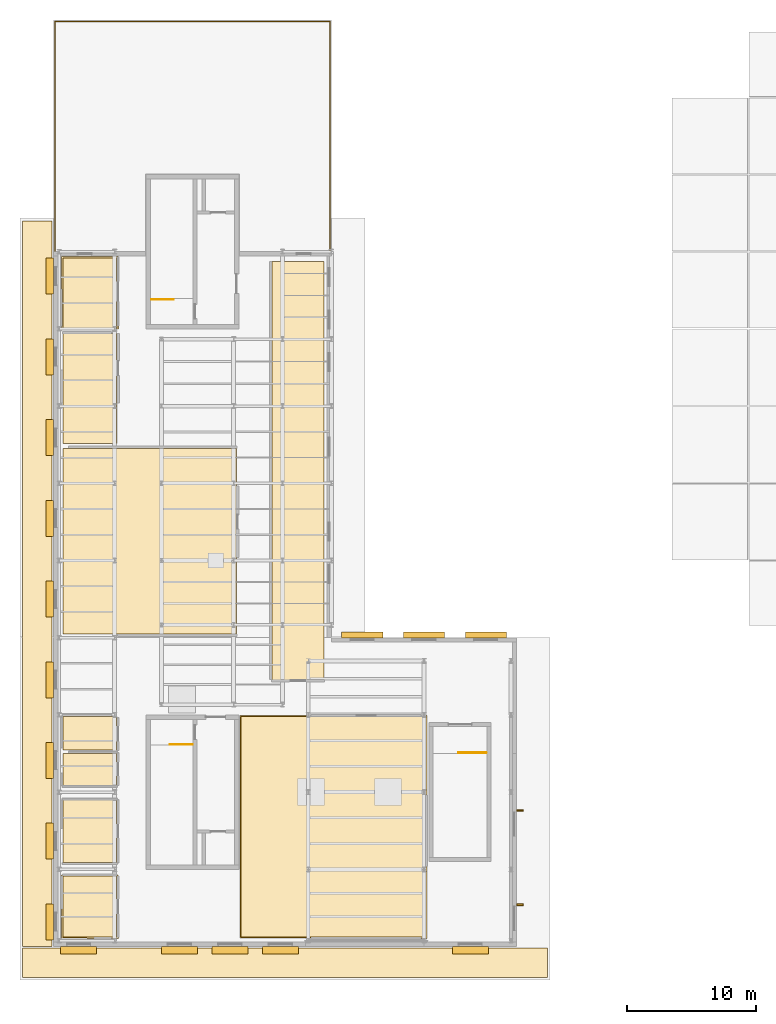
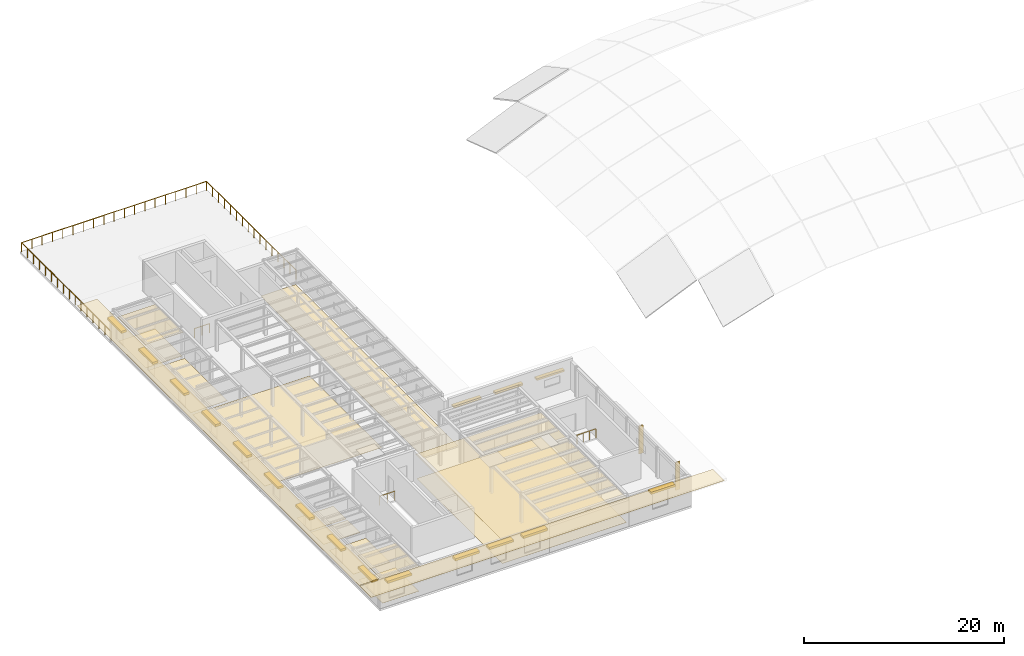
# One storey, part 10 of 10: 19 shading devices, 14 coverings, 4 railings.
"""IFC4 building model written with IfcOpenShell, lengths in metres."""

from ifc_helpers import new_model, si_unit, direction, frame, origin, origin_2d, place, context, subcontext, project, spatial, polyline, rectangle, circle, outline, extrude, material, layer, layer_set, type_object, element, save


model = new_model("IFC4")

# Units and contexts
model_context = context("Model", 3, precision=1e-05, world=origin(), true_north=direction((0.0, 1.0)))
body_context = subcontext(model_context, "Body", "Model", "MODEL_VIEW")
ifc_project = project(units=[si_unit("LENGTHUNIT", "METRE"), si_unit("AREAUNIT", "SQUARE_METRE"), si_unit("VOLUMEUNIT", "CUBIC_METRE"), si_unit("PLANEANGLEUNIT", "RADIAN"), si_unit("MASSUNIT", "GRAM", prefix="KILO")], contexts=[model_context])

# Site, building, storey
site_placement = place(None, origin())
site = spatial("IfcSite", under=ifc_project, at=site_placement, CompositionType="ELEMENT")
building_placement = place(site_placement, origin())
building = spatial("IfcBuilding", under=site, at=building_placement, Name="Kolvaren Corner Interchange", CompositionType="ELEMENT")
storey_placement = place(building_placement, frame((0.0, 0.0, 18.75)))
storey = spatial("IfcBuildingStorey", under=building, at=storey_placement, Name="L05", CompositionType="ELEMENT", Elevation=18.75)

# Coverings
ifc_material_1 = material(Name="Suspended Acoustic Mineral-Fibre Ceiling")
ifc_layer_1 = layer(ifc_material_1, 0.02197265625)
ifc_layer_set_1 = layer_set([ifc_layer_1], Name="Suspended Acoustic Mineral-Fibre Ceiling")
covering_type_1 = type_object("IfcCoveringType", Name="COV-CEIL-AC22", PredefinedType="CEILING", material=ifc_layer_set_1)
covering_1_placement = place(storey_placement, frame((0.0, 0.0, 2.927978515625)))
element("IfcCovering", 1, at=covering_1_placement, inside=storey, type_object=covering_type_1, Name="L05 Intermodal Operations Control Room Suspended Ceiling", PredefinedType="CEILING", context=body_context, shape_type="SweptSolid", body=[
    extrude(outline(polyline([(14.47998046875, 0.64990234375), (29.015380859375, 0.63720703125), (29.0126953125, 17.965576171875), (14.484619140625, 17.962646484375), (14.47998046875, 0.64990234375)])), origin(), (0.0, 0.0, 1.0), 0.02197265625),
])
covering_2_placement = place(storey_placement, frame((0.0, 0.0, 2.927978515625)))
element("IfcCovering", 2, at=covering_2_placement, inside=storey, type_object=covering_type_1, Name="L05 Silver Incident Command Suite Suspended Ceiling", PredefinedType="CEILING", context=body_context, shape_type="SweptSolid", body=[
    extrude(outline(polyline([(0.6298828125, 0.64990234375), (5.035400390625, 0.63720703125), (5.03271484375, 5.5654296875), (0.634521484375, 5.562744140625), (0.6298828125, 0.64990234375)])), origin(), (0.0, 0.0, 1.0), 0.02197265625),
])
covering_3_placement = place(storey_placement, frame((0.0, 0.0, 2.927978515625)))
element("IfcCovering", 3, at=covering_3_placement, inside=storey, type_object=covering_type_1, Name="L05 Observation Terrace Foyer Suspended Ceiling", PredefinedType="CEILING", context=body_context, shape_type="SweptSolid", body=[
    extrude(outline(polyline([(0.6298828125, 48.0), (5.035400390625, 47.9873046875), (5.03271484375, 53.615478515625), (0.634521484375, 53.61279296875), (0.6298828125, 48.0)])), origin(), (0.0, 0.0, 1.0), 0.02197265625),
])
ifc_material_2 = material(Name="Acoustic Tufted Modular Office Carpet Tile")
ifc_layer_2 = layer(ifc_material_2, 0.011962890625)
ifc_layer_set_2 = layer_set([ifc_layer_2], Name="Acoustic Tufted Modular Office Carpet Tile")
covering_type_2 = type_object("IfcCoveringType", Name="COV-FLR-CPT12", PredefinedType="FLOORING", material=ifc_layer_set_2)
covering_4_placement = place(storey_placement, origin())
element("IfcCovering", 4, at=covering_4_placement, inside=storey, type_object=covering_type_2, Name="L05 Intermodal Operations Control Room Floor Finish", PredefinedType="FLOORING", context=body_context, shape_type="SweptSolid", body=[
    extrude(outline(polyline([(14.580078125, 0.72998046875), (28.919921875, 0.72998046875), (28.919921875, 17.8701171875), (14.580078125, 17.8701171875), (14.580078125, 0.72998046875)])), origin(), (0.0, 0.0, 1.0), 0.011962890625),
])
covering_5_placement = place(storey_placement, origin())
element("IfcCovering", 5, at=covering_5_placement, inside=storey, type_object=covering_type_2, Name="L05 Silver Incident Command Suite Floor Finish", PredefinedType="FLOORING", context=body_context, shape_type="SweptSolid", body=[
    extrude(outline(polyline([(0.72998046875, 0.72998046875), (4.93994140625, 0.72998046875), (4.93994140625, 5.469970703125), (0.72998046875, 5.469970703125), (0.72998046875, 0.72998046875)])), origin(), (0.0, 0.0, 1.0), 0.011962890625),
])
ifc_material_3 = material(Name="Anti-Slip Heavy-Duty Epoxy Resin Flooring")
ifc_layer_3 = layer(ifc_material_3, 0.01806640625)
ifc_layer_set_3 = layer_set([ifc_layer_3], Name="Anti-Slip Heavy-Duty Epoxy Resin Flooring")
covering_type_3 = type_object("IfcCoveringType", Name="COV-FLR-RES18", PredefinedType="FLOORING", material=ifc_layer_set_3)
covering_6_placement = place(storey_placement, origin())
element("IfcCovering", 6, at=covering_6_placement, inside=storey, type_object=covering_type_3, Name="L05 Operations Chiller and AHU Plant Floor Finish", PredefinedType="FLOORING", context=body_context, shape_type="SweptSolid", body=[
    extrude(outline(polyline([(16.97998046875, 20.72998046875), (21.02001953125, 20.72998046875), (21.02001953125, 53.219970703125), (16.97998046875, 53.219970703125), (16.97998046875, 20.72998046875)])), origin(), (0.0, 0.0, 1.0), 0.01806640625),
])
covering_7_placement = place(storey_placement, origin())
element("IfcCovering", 7, at=covering_7_placement, inside=storey, type_object=covering_type_3, Name="L05 Control Room Redundant UPS Room Floor Finish", PredefinedType="FLOORING", context=body_context, shape_type="SweptSolid", body=[
    extrude(outline(polyline([(0.72998046875, 39.080078125), (4.93994140625, 39.080078125), (4.93994140625, 47.6201171875), (0.72998046875, 47.6201171875), (0.72998046875, 39.080078125)])), origin(), (0.0, 0.0, 1.0), 0.01806640625),
])
ifc_material_4 = material(Name="Polished Niger Delta Granite Terrazzo Flooring", Category="masonry")
ifc_layer_4 = layer(ifc_material_4, 0.030029296875)
ifc_layer_set_4 = layer_set([ifc_layer_4], Name="Polished Niger Delta Granite Terrazzo Flooring")
covering_type_4 = type_object("IfcCoveringType", Name="COV-FLR-TER30", PredefinedType="FLOORING", material=ifc_layer_set_4)
covering_8_placement = place(storey_placement, origin())
element("IfcCovering", 8, at=covering_8_placement, inside=storey, type_object=covering_type_4, Name="L05 Signalling and SCADA Server Hall Floor Finish", PredefinedType="FLOORING", context=body_context, shape_type="SweptSolid", body=[
    extrude(outline(polyline([(0.72998046875, 24.280029296875), (14.219970703125, 24.280029296875), (14.219970703125, 38.719970703125), (0.72998046875, 38.719970703125), (0.72998046875, 24.280029296875)])), origin(), (0.0, 0.0, 1.0), 0.030029296875),
])
covering_9_placement = place(storey_placement, origin())
element("IfcCovering", 9, at=covering_9_placement, inside=storey, type_object=covering_type_4, Name="L05 Observation Terrace Foyer Floor Finish", PredefinedType="FLOORING", context=body_context, shape_type="SweptSolid", body=[
    extrude(outline(polyline([(0.72998046875, 48.080078125), (4.93994140625, 48.080078125), (4.93994140625, 53.52001953125), (0.72998046875, 53.52001953125), (0.72998046875, 48.080078125)])), origin(), (0.0, 0.0, 1.0), 0.030029296875),
])
covering_10_placement = place(storey_placement, origin())
element("IfcCovering", 10, at=covering_10_placement, inside=storey, type_object=covering_type_4, Name="L05 Male WC Floor Finish", PredefinedType="FLOORING", context=body_context, shape_type="SweptSolid", body=[
    extrude(outline(polyline([(0.72998046875, 6.530029296875), (4.93994140625, 6.530029296875), (4.93994140625, 11.3701171875), (0.72998046875, 11.3701171875), (0.72998046875, 6.530029296875)])), origin(), (0.0, 0.0, 1.0), 0.030029296875),
])
covering_11_placement = place(storey_placement, origin())
element("IfcCovering", 11, at=covering_11_placement, inside=storey, type_object=covering_type_4, Name="L05 Female WC Floor Finish", PredefinedType="FLOORING", context=body_context, shape_type="SweptSolid", body=[
    extrude(outline(polyline([(0.72998046875, 12.530029296875), (4.93994140625, 12.530029296875), (4.93994140625, 15.02001953125), (0.72998046875, 15.02001953125), (0.72998046875, 12.530029296875)])), origin(), (0.0, 0.0, 1.0), 0.030029296875),
])
covering_12_placement = place(storey_placement, origin())
element("IfcCovering", 12, at=covering_12_placement, inside=storey, type_object=covering_type_4, Name="L05 Accessible WC Floor Finish", PredefinedType="FLOORING", context=body_context, shape_type="SweptSolid", body=[
    extrude(outline(polyline([(0.72998046875, 15.280029296875), (4.93994140625, 15.280029296875), (4.93994140625, 17.8701171875), (0.72998046875, 17.8701171875), (0.72998046875, 15.280029296875)])), origin(), (0.0, 0.0, 1.0), 0.030029296875),
])
ifc_material_5 = material(Name="Relief-Moulded Terracotta Cornice Cladding", Category="masonry")
ifc_layer_5 = layer(ifc_material_5, 0.034912109375)
ifc_layer_set_5 = layer_set([ifc_layer_5], Name="Relief-Moulded Terracotta Cornice Cladding")
covering_type_5 = type_object("IfcCoveringType", Name="COV-TC-CLAD35", PredefinedType="CLADDING", material=ifc_layer_set_5)
covering_13_placement = place(storey_placement, frame((0.0, 0.0, 3.675048828125)))
element("IfcCovering", 13, at=covering_13_placement, inside=storey, type_object=covering_type_5, Name="Operations Boulevard Cornice Cladding", PredefinedType="CLADDING", context=body_context, shape_type="SweptSolid", body=[
    extrude(outline(polyline([(-2.39990234375, -2.39990234375), (38.39990234375, -2.39990234375), (38.39990234375, -0.10009765625), (-2.39990234375, -0.10009765625), (-2.39990234375, -2.39990234375)])), origin(), (0.0, 0.0, 1.0), 0.034912109375),
])
covering_14_placement = place(storey_placement, frame((0.0, 0.0, 3.675048828125)))
element("IfcCovering", 14, at=covering_14_placement, inside=storey, type_object=covering_type_5, Name="Operations Trelmava Cornice Cladding", PredefinedType="CLADDING", context=body_context, shape_type="SweptSolid", body=[
    extrude(outline(polyline([(-2.39990234375, 0.0), (-0.10009765625, 0.0), (-0.10009765625, 56.39990234375), (-2.39990234375, 56.39990234375), (-2.39990234375, 0.0)])), origin(), (0.0, 0.0, 1.0), 0.034912109375),
])

# Railings
ifc_material_6 = material(Name="Powder-Coated Steel Stairwell Guardrail", Category="steel")
railing_type_1 = type_object("IfcRailingType", Name="RLT-STAIR-GRD1120", PredefinedType="GUARDRAIL", material=ifc_material_6)
railing_1_placement = place(storey_placement, frame((10.7900390625, 15.7099609375, 0.0)))
element("IfcRailing", 15, at=railing_1_placement, inside=storey, type_object=railing_type_1, Name="Core C1 Southwest Firefighting Stair L05 Landing Edge Guardrail", PredefinedType="GUARDRAIL", context=body_context, shape_type="SweptSolid", body=[
    extrude(circle(Radius=0.02392578125, at=origin_2d()), frame((0.0, 0.0, 1.09619140625), z_axis=(-1.0, 0.0, 0.0), x_axis=(0.0, -1.0, 0.0)), (0.0, 0.0, 1.0), 1.72998046875),
    extrude(circle(Radius=0.02001953125, at=origin_2d()), origin(), (0.0, 0.0, 1.0), 1.072021484375),
    extrude(circle(Radius=0.02001953125, at=origin_2d()), frame((-0.864990234375, 0.0, 0.0)), (0.0, 0.0, 1.0), 1.072021484375),
    extrude(circle(Radius=0.02001953125, at=origin_2d()), frame((-1.72998046875, 0.0, 0.0)), (0.0, 0.0, 1.0), 1.072021484375),
])
railing_2_placement = place(storey_placement, frame((7.610107421875, 50.2900390625, 0.0)))
element("IfcRailing", 16, at=railing_2_placement, inside=storey, type_object=railing_type_1, Name="Core C2 Northwest Firefighting Stair L05 Landing Edge Guardrail", PredefinedType="GUARDRAIL", context=body_context, shape_type="SweptSolid", body=[
    extrude(circle(Radius=0.02392578125, at=origin_2d()), frame((0.0, 0.0, 1.09619140625), z_axis=(1.0, 0.0, 0.0), x_axis=(0.0, 1.0, 0.0)), (0.0, 0.0, 1.0), 1.72998046875),
    extrude(circle(Radius=0.02001953125, at=origin_2d()), origin(), (0.0, 0.0, 1.0), 1.072021484375),
    extrude(circle(Radius=0.02001953125, at=origin_2d()), frame((0.864990234375, 0.0, 0.0)), (0.0, 0.0, 1.0), 1.072021484375),
    extrude(circle(Radius=0.02001953125, at=origin_2d()), frame((1.72998046875, 0.0, 0.0)), (0.0, 0.0, 1.0), 1.072021484375),
])
railing_3_placement = place(storey_placement, frame((33.639892578125, 15.06005859375, 0.0)))
element("IfcRailing", 17, at=railing_3_placement, inside=storey, type_object=railing_type_1, Name="Operations South Bar Protected Exit Stair L05 Landing Edge Guardrail", PredefinedType="GUARDRAIL", context=body_context, shape_type="SweptSolid", body=[
    extrude(circle(Radius=0.02392578125, at=origin_2d()), frame((0.0, 0.0, 1.09619140625), z_axis=(-1.0, 0.0, 0.0), x_axis=(0.0, -1.0, 0.0)), (0.0, 0.0, 1.0), 2.179931640625),
    extrude(circle(Radius=0.02001953125, at=origin_2d()), origin(), (0.0, 0.0, 1.0), 1.072021484375),
    extrude(circle(Radius=0.02001953125, at=origin_2d()), frame((-0.7265625, 0.0, 0.0)), (0.0, 0.0, 1.0), 1.072021484375),
    extrude(circle(Radius=0.02001953125, at=origin_2d()), frame((-1.453369140625, 0.0, 0.0)), (0.0, 0.0, 1.0), 1.072021484375),
    extrude(circle(Radius=0.02001953125, at=origin_2d()), frame((-2.179931640625, 0.0, 0.0)), (0.0, 0.0, 1.0), 1.072021484375),
])
ifc_material_7 = material(Name="Anodised Aluminium and Laminated Glass Balustrade", Category="aluminium")
railing_type_2 = type_object("IfcRailingType", Name="RLT-TERR-BAL1150", PredefinedType="BALUSTRADE", material=ifc_material_7)
railing_4_placement = place(storey_placement, frame((21.47998046875, 54.0, 0.0)))
element("IfcRailing", 18, at=railing_4_placement, inside=storey, type_object=railing_type_2, Name="Level 05 Observation Terrace Perimeter Balustrade", PredefinedType="BALUSTRADE", context=body_context, shape_type="SweptSolid", body=[
    extrude(circle(Radius=0.02490234375, at=origin_2d()), frame((0.0, 0.0, 1.125), z_axis=(0.0, 1.0, 0.0), x_axis=(-1.0, 0.0, 0.0)), (0.0, 0.0, 1.0), 17.8798828125),
    extrude(circle(Radius=0.02490234375, at=origin_2d()), frame((0.0, 17.8798828125, 1.125), z_axis=(-1.0, 0.0, 0.0), x_axis=(0.0, -1.0, 0.0)), (0.0, 0.0, 1.0), 21.35986328125),
    extrude(circle(Radius=0.02490234375, at=origin_2d()), frame((-21.35986328125, 17.8798828125, 1.125), z_axis=(0.0, -1.0, 0.0), x_axis=(1.0, 0.0, 0.0)), (0.0, 0.0, 1.0), 17.8798828125),
    extrude(circle(Radius=0.02197265625, at=origin_2d()), origin(), (0.0, 0.0, 1.0), 1.099853515625),
    extrude(circle(Radius=0.02197265625, at=origin_2d()), frame((0.0, 1.19189453125, 0.0)), (0.0, 0.0, 1.0), 1.099853515625),
    extrude(circle(Radius=0.02197265625, at=origin_2d()), frame((0.0, 2.384033203125, 0.0)), (0.0, 0.0, 1.0), 1.099853515625),
    extrude(circle(Radius=0.02197265625, at=origin_2d()), frame((0.0, 3.575927734375, 0.0)), (0.0, 0.0, 1.0), 1.099853515625),
    extrude(circle(Radius=0.02197265625, at=origin_2d()), frame((0.0, 4.76806640625, 0.0)), (0.0, 0.0, 1.0), 1.099853515625),
    extrude(circle(Radius=0.02197265625, at=origin_2d()), frame((0.0, 5.9599609375, 0.0)), (0.0, 0.0, 1.0), 1.099853515625),
    extrude(circle(Radius=0.02197265625, at=origin_2d()), frame((0.0, 7.15185546875, 0.0)), (0.0, 0.0, 1.0), 1.099853515625),
    extrude(circle(Radius=0.02197265625, at=origin_2d()), frame((0.0, 8.343994140625, 0.0)), (0.0, 0.0, 1.0), 1.099853515625),
    extrude(circle(Radius=0.02197265625, at=origin_2d()), frame((0.0, 9.535888671875, 0.0)), (0.0, 0.0, 1.0), 1.099853515625),
    extrude(circle(Radius=0.02197265625, at=origin_2d()), frame((0.0, 10.72802734375, 0.0)), (0.0, 0.0, 1.0), 1.099853515625),
    extrude(circle(Radius=0.02197265625, at=origin_2d()), frame((0.0, 11.919921875, 0.0)), (0.0, 0.0, 1.0), 1.099853515625),
    extrude(circle(Radius=0.02197265625, at=origin_2d()), frame((0.0, 13.11181640625, 0.0)), (0.0, 0.0, 1.0), 1.099853515625),
    extrude(circle(Radius=0.02197265625, at=origin_2d()), frame((0.0, 14.303955078125, 0.0)), (0.0, 0.0, 1.0), 1.099853515625),
    extrude(circle(Radius=0.02197265625, at=origin_2d()), frame((0.0, 15.495849609375, 0.0)), (0.0, 0.0, 1.0), 1.099853515625),
    extrude(circle(Radius=0.02197265625, at=origin_2d()), frame((0.0, 16.68798828125, 0.0)), (0.0, 0.0, 1.0), 1.099853515625),
    extrude(circle(Radius=0.02197265625, at=origin_2d()), frame((0.0, 17.8798828125, 0.0)), (0.0, 0.0, 1.0), 1.099853515625),
    extrude(circle(Radius=0.02197265625, at=origin_2d()), frame((-1.186767578125, 17.8798828125, 0.0)), (0.0, 0.0, 1.0), 1.099853515625),
    extrude(circle(Radius=0.02197265625, at=origin_2d()), frame((-2.373291015625, 17.8798828125, 0.0)), (0.0, 0.0, 1.0), 1.099853515625),
    extrude(circle(Radius=0.02197265625, at=origin_2d()), frame((-3.56005859375, 17.8798828125, 0.0)), (0.0, 0.0, 1.0), 1.099853515625),
    extrude(circle(Radius=0.02197265625, at=origin_2d()), frame((-4.74658203125, 17.8798828125, 0.0)), (0.0, 0.0, 1.0), 1.099853515625),
    extrude(circle(Radius=0.02197265625, at=origin_2d()), frame((-5.933349609375, 17.8798828125, 0.0)), (0.0, 0.0, 1.0), 1.099853515625),
    extrude(circle(Radius=0.02197265625, at=origin_2d()), frame((-7.119873046875, 17.8798828125, 0.0)), (0.0, 0.0, 1.0), 1.099853515625),
    extrude(circle(Radius=0.02197265625, at=origin_2d()), frame((-8.306640625, 17.8798828125, 0.0)), (0.0, 0.0, 1.0), 1.099853515625),
    extrude(circle(Radius=0.02197265625, at=origin_2d()), frame((-9.4931640625, 17.8798828125, 0.0)), (0.0, 0.0, 1.0), 1.099853515625),
    extrude(circle(Radius=0.02197265625, at=origin_2d()), frame((-10.679931640625, 17.8798828125, 0.0)), (0.0, 0.0, 1.0), 1.099853515625),
    extrude(circle(Radius=0.02197265625, at=origin_2d()), frame((-11.86669921875, 17.8798828125, 0.0)), (0.0, 0.0, 1.0), 1.099853515625),
    extrude(circle(Radius=0.02197265625, at=origin_2d()), frame((-13.05322265625, 17.8798828125, 0.0)), (0.0, 0.0, 1.0), 1.099853515625),
    extrude(circle(Radius=0.02197265625, at=origin_2d()), frame((-14.239990234375, 17.8798828125, 0.0)), (0.0, 0.0, 1.0), 1.099853515625),
    extrude(circle(Radius=0.02197265625, at=origin_2d()), frame((-15.426513671875, 17.8798828125, 0.0)), (0.0, 0.0, 1.0), 1.099853515625),
    extrude(circle(Radius=0.02197265625, at=origin_2d()), frame((-16.61328125, 17.8798828125, 0.0)), (0.0, 0.0, 1.0), 1.099853515625),
    extrude(circle(Radius=0.02197265625, at=origin_2d()), frame((-17.7998046875, 17.8798828125, 0.0)), (0.0, 0.0, 1.0), 1.099853515625),
    extrude(circle(Radius=0.02197265625, at=origin_2d()), frame((-18.986572265625, 17.8798828125, 0.0)), (0.0, 0.0, 1.0), 1.099853515625),
    extrude(circle(Radius=0.02197265625, at=origin_2d()), frame((-20.173095703125, 17.8798828125, 0.0)), (0.0, 0.0, 1.0), 1.099853515625),
    extrude(circle(Radius=0.02197265625, at=origin_2d()), frame((-21.35986328125, 17.8798828125, 0.0)), (0.0, 0.0, 1.0), 1.099853515625),
    extrude(circle(Radius=0.02197265625, at=origin_2d()), frame((-21.35986328125, 16.68798828125, 0.0)), (0.0, 0.0, 1.0), 1.099853515625),
    extrude(circle(Radius=0.02197265625, at=origin_2d()), frame((-21.35986328125, 15.495849609375, 0.0)), (0.0, 0.0, 1.0), 1.099853515625),
    extrude(circle(Radius=0.02197265625, at=origin_2d()), frame((-21.35986328125, 14.303955078125, 0.0)), (0.0, 0.0, 1.0), 1.099853515625),
    extrude(circle(Radius=0.02197265625, at=origin_2d()), frame((-21.35986328125, 13.11181640625, 0.0)), (0.0, 0.0, 1.0), 1.099853515625),
    extrude(circle(Radius=0.02197265625, at=origin_2d()), frame((-21.35986328125, 11.919921875, 0.0)), (0.0, 0.0, 1.0), 1.099853515625),
    extrude(circle(Radius=0.02197265625, at=origin_2d()), frame((-21.35986328125, 10.72802734375, 0.0)), (0.0, 0.0, 1.0), 1.099853515625),
    extrude(circle(Radius=0.02197265625, at=origin_2d()), frame((-21.35986328125, 9.535888671875, 0.0)), (0.0, 0.0, 1.0), 1.099853515625),
    extrude(circle(Radius=0.02197265625, at=origin_2d()), frame((-21.35986328125, 8.343994140625, 0.0)), (0.0, 0.0, 1.0), 1.099853515625),
    extrude(circle(Radius=0.02197265625, at=origin_2d()), frame((-21.35986328125, 7.15185546875, 0.0)), (0.0, 0.0, 1.0), 1.099853515625),
    extrude(circle(Radius=0.02197265625, at=origin_2d()), frame((-21.35986328125, 5.9599609375, 0.0)), (0.0, 0.0, 1.0), 1.099853515625),
    extrude(circle(Radius=0.02197265625, at=origin_2d()), frame((-21.35986328125, 4.76806640625, 0.0)), (0.0, 0.0, 1.0), 1.099853515625),
    extrude(circle(Radius=0.02197265625, at=origin_2d()), frame((-21.35986328125, 3.575927734375, 0.0)), (0.0, 0.0, 1.0), 1.099853515625),
    extrude(circle(Radius=0.02197265625, at=origin_2d()), frame((-21.35986328125, 2.384033203125, 0.0)), (0.0, 0.0, 1.0), 1.099853515625),
    extrude(circle(Radius=0.02197265625, at=origin_2d()), frame((-21.35986328125, 1.19189453125, 0.0)), (0.0, 0.0, 1.0), 1.099853515625),
    extrude(circle(Radius=0.02197265625, at=origin_2d()), frame((-21.35986328125, 0.0, 0.0)), (0.0, 0.0, 1.0), 1.099853515625),
])

# Shading devices
ifc_material_8 = material(Name="Glazed Ochre Ceramic Baguette Solar Louvre")
shading_device_type_1 = type_object("IfcShadingDeviceType", Name="SHD-BAG-H450", PredefinedType="JALOUSIE", material=ifc_material_8)
for number, where, z_axis, x_axis, name in (
    (19, (33.60009765625, 24.215087890625, 2.1298828125), (0.0, 0.0, 1.0), (-1.0, 0.0, 0.0), "L05 Ceramic Solar Shading 0125"),
    (20, (28.800048828125, 24.215087890625, 2.1298828125), (0.0, 0.0, 1.0), (-1.0, 0.0, 0.0), "L05 Ceramic Solar Shading 0126"),
    (21, (24.0, 24.215087890625, 2.1298828125), (0.0, 0.0, 1.0), (-1.0, 0.0, 0.0), "L05 Ceramic Solar Shading 0127"),
):
    element("IfcShadingDevice", number, at=place(storey_placement, frame(where, z_axis=z_axis, x_axis=x_axis)), inside=storey, type_object=shading_device_type_1, Name=name, PredefinedType="JALOUSIE", context=body_context, shape_type="SweptSolid", body=[
        extrude(rectangle(XDim=3.199951171875, YDim=0.449951171875, at=origin_2d()), origin(), (0.0, 0.0, 1.0), 0.219970703125),
    ])
ifc_material_9 = material(Name="Cream Ceramic Baguette Brise-Soleil")
shading_device_type_2 = type_object("IfcShadingDeviceType", Name="SHD-BAG-H600", PredefinedType="JALOUSIE", material=ifc_material_9)
for number, where, z_axis, x_axis, name in (
    (22, (1.9599609375, -0.280029296875, 3.27490234375), (0.0, 0.0, 1.0), (1.0, 0.0, 0.0), "L05 Ceramic Solar Shading 0118"),
    (23, (9.800048828125, -0.280029296875, 3.27490234375), (0.0, 0.0, 1.0), (1.0, 0.0, 0.0), "L05 Ceramic Solar Shading 0119"),
    (24, (13.719970703125, -0.280029296875, 3.27490234375), (0.0, 0.0, 1.0), (1.0, 0.0, 0.0), "L05 Ceramic Solar Shading 0120"),
    (25, (17.639892578125, -0.280029296875, 3.27490234375), (0.0, 0.0, 1.0), (1.0, 0.0, 0.0), "L05 Ceramic Solar Shading 0121"),
    (26, (32.39990234375, -0.280029296875, 3.47998046875), (0.0, 0.0, 1.0), (1.0, 0.0, 0.0), "L05 Ceramic Solar Shading 0122"),
    (27, (-0.2900390625, 52.091796875, 3.115234375), (0.0, 0.0, 1.0), (0.0, -1.0, 0.0), "L05 Ceramic Solar Shading 0134"),
    (28, (-0.2900390625, 45.819580078125, 3.115234375), (0.0, 0.0, 1.0), (0.0, -1.0, 0.0), "L05 Ceramic Solar Shading 0135"),
    (29, (-0.2900390625, 39.547119140625, 3.115234375), (0.0, 0.0, 1.0), (0.0, -1.0, 0.0), "L05 Ceramic Solar Shading 0136"),
    (30, (-0.2900390625, 33.27490234375, 3.115234375), (0.0, 0.0, 1.0), (0.0, -1.0, 0.0), "L05 Ceramic Solar Shading 0137"),
    (31, (-0.2900390625, 27.00244140625, 3.115234375), (0.0, 0.0, 1.0), (0.0, -1.0, 0.0), "L05 Ceramic Solar Shading 0138"),
    (32, (-0.2900390625, 20.72998046875, 3.115234375), (0.0, 0.0, 1.0), (0.0, -1.0, 0.0), "L05 Ceramic Solar Shading 0139"),
    (33, (-0.2900390625, 14.457763671875, 3.115234375), (0.0, 0.0, 1.0), (0.0, -1.0, 0.0), "L05 Ceramic Solar Shading 0140"),
    (34, (-0.2900390625, 8.185302734375, 3.115234375), (0.0, 0.0, 1.0), (0.0, -1.0, 0.0), "L05 Ceramic Solar Shading 0141"),
    (35, (-0.2900390625, 1.9130859375, 3.115234375), (0.0, 0.0, 1.0), (0.0, -1.0, 0.0), "L05 Ceramic Solar Shading 0142"),
):
    element("IfcShadingDevice", number, at=place(storey_placement, frame(where, z_axis=z_axis, x_axis=x_axis)), inside=storey, type_object=shading_device_type_2, Name=name, PredefinedType="JALOUSIE", context=body_context, shape_type="SweptSolid", body=[
        extrude(rectangle(XDim=2.800048828125, YDim=0.60009765625, at=origin_2d()), origin(), (0.0, 0.0, 1.0), 0.260009765625),
    ])
ifc_material_10 = material(Name="Vertical Terracotta Solar Fin", Category="masonry")
shading_device_type_3 = type_object("IfcShadingDeviceType", Name="SHD-FIN-V500", PredefinedType="USERDEFINED", material=ifc_material_10)
for number, where, z_axis, x_axis, name in (
    (36, (36.239990234375, 3.23681640625, -0.050048828125), (0.0, 0.0, 1.0), (0.0, 1.0, 0.0), "L05 Ceramic Solar Shading 0123"),
    (37, (36.239990234375, 10.564453125, -0.050048828125), (0.0, 0.0, 1.0), (0.0, 1.0, 0.0), "L05 Ceramic Solar Shading 0124"),
):
    element("IfcShadingDevice", number, at=place(storey_placement, frame(where, z_axis=z_axis, x_axis=x_axis)), inside=storey, type_object=shading_device_type_3, Name=name, ObjectType="SUNSHADE", PredefinedType="USERDEFINED", context=body_context, shape_type="SweptSolid", body=[
        extrude(rectangle(XDim=0.139892578125, YDim=0.5, at=origin_2d()), origin(), (0.0, 0.0, 1.0), 3.39990234375),
    ])

save(model, "model.ifc")
